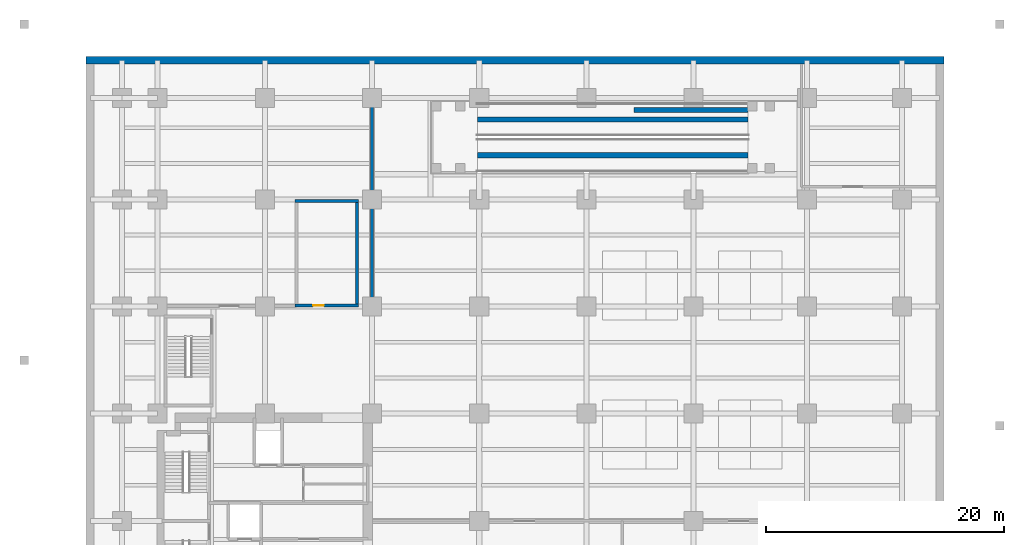
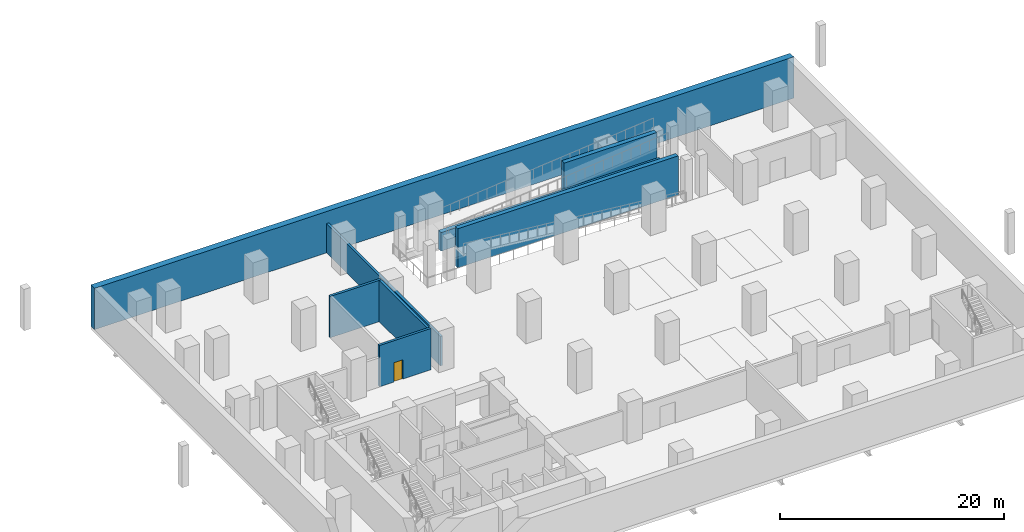
# One storey, part 7 of 10: 8 walls, 1 door, 1 opening.
"""IFC4 building model written with IfcOpenShell, lengths in metres."""

from ifc_helpers import new_model, si_unit, direction, frame, frame_2d, origin, place, context, subcontext, project, spatial, rectangle, extrude, material, layer, layer_set, type_object, element, fill, save


model = new_model("IFC4")

# Units and contexts
model_context = context("Model", 3, precision=1e-05, world=origin(), true_north=direction((0.0, 1.0)))
body_context = subcontext(model_context, "Body", "Model", "MODEL_VIEW")
ifc_project = project(units=[si_unit("LENGTHUNIT", "METRE"), si_unit("AREAUNIT", "SQUARE_METRE"), si_unit("VOLUMEUNIT", "CUBIC_METRE"), si_unit("PLANEANGLEUNIT", "RADIAN"), si_unit("MASSUNIT", "GRAM", prefix="KILO")], contexts=[model_context])

# Site, building, storey
site_placement = place(None, origin())
site = spatial("IfcSite", under=ifc_project, at=site_placement, CompositionType="ELEMENT")
building_placement = place(site_placement, origin())
building = spatial("IfcBuilding", under=site, at=building_placement, Name="Mawjdan Bourse Tower", CompositionType="ELEMENT")
storey_placement = place(building_placement, frame((0.0, 0.0, -9.0)))
storey = spatial("IfcBuildingStorey", under=building, at=storey_placement, Name="B02", CompositionType="ELEMENT", Elevation=-9.0)

# Walls
ifc_material_1 = material(Name="Concrete C60/75", Category="concrete")
ifc_layer_1 = layer(ifc_material_1, 0.449951171875)
ifc_layer_set_1 = layer_set([ifc_layer_1], Name="Concrete C60/75")
wall_type_1 = type_object("IfcWallType", Name="WL-CORE-450", PredefinedType="SHEAR", material=ifc_layer_set_1)
wall_1_placement = place(storey_placement, frame((32.85009765625, 45.699951171875, 0.0), z_axis=(0.0, 0.0, 1.0), x_axis=(1.0, 0.0, 0.0)))
element("IfcWall", 1, at=wall_1_placement, inside=storey, type_object=wall_type_1, Name="B02 Vehicle Ramp Spine Support Wall F2", PredefinedType="SHEAR", context=body_context, shape_type="SweptSolid", body=[
    extrude(rectangle(XDim=22.699951171875, YDim=0.449951171875, at=frame_2d((11.35009765625, 0.0))), origin(), (0.0, 0.0, 1.0), 2.010009765625),
])
wall_2_placement = place(storey_placement, frame((46.0, 46.5, 0.0), z_axis=(0.0, 0.0, 1.0), x_axis=(1.0, 0.0, 0.0)))
element("IfcWall", 2, at=wall_2_placement, inside=storey, type_object=wall_type_1, Name="B02 Vehicle Ramp Upper Spine Pier", PredefinedType="SHEAR", context=body_context, shape_type="SweptSolid", body=[
    extrude(rectangle(XDim=9.550048828125, YDim=0.449951171875, at=frame_2d((4.77490234375, 0.0))), origin(), (0.0, 0.0, 1.0), 4.5),
])
wall_3_placement = place(storey_placement, frame((32.85009765625, 42.699951171875, 0.0), z_axis=(0.0, 0.0, 1.0), x_axis=(1.0, 0.0, 0.0)))
element("IfcWall", 3, at=wall_3_placement, inside=storey, type_object=wall_type_1, Name="B02 Vehicle Ramp Spine Support Wall F1", PredefinedType="SHEAR", context=body_context, shape_type="SweptSolid", body=[
    extrude(rectangle(XDim=22.699951171875, YDim=0.449951171875, at=frame_2d((11.35009765625, 0.0))), origin(), (0.0, 0.0, 1.0), 4.260009765625),
])
ifc_layer_2 = layer(ifc_material_1, 0.64990234375)
ifc_layer_set_2 = layer_set([ifc_layer_2], Name="Concrete C60/75")
wall_type_2 = type_object("IfcWallType", Name="WL-RET-650", PredefinedType="USERDEFINED", material=ifc_layer_set_2)
wall_4_placement = place(storey_placement, frame((72.0, 50.675048828125, 0.0), z_axis=(0.0, 0.0, 1.0), x_axis=(-1.0, 0.0, 0.0)))
element("IfcWall", 4, at=wall_4_placement, inside=storey, type_object=wall_type_2, Name="B02 Perimeter Diaphragm Retaining Wall N", ObjectType="RETAINING", PredefinedType="USERDEFINED", context=body_context, shape_type="SweptSolid", body=[
    extrude(rectangle(XDim=72.0, YDim=0.64990234375, at=frame_2d((36.0, 0.0))), origin(), (0.0, 0.0, 1.0), 4.5),
])
ifc_material_2 = material(Name="Concrete C50/60", Category="concrete")
ifc_layer_3 = layer(ifc_material_2, 0.25)
ifc_layer_set_3 = layer_set([ifc_layer_3], Name="Concrete C50/60")
wall_type_3 = type_object("IfcWallType", Name="WL-SHFT-250", PredefinedType="PARTITIONING", material=ifc_layer_set_3)
wall_5_placement = place(storey_placement, frame((24.0, 30.050048828125, 0.0), z_axis=(0.0, 0.0, 1.0), x_axis=(0.0, 1.0, 0.0)))
element("IfcWall", 5, at=wall_5_placement, inside=storey, type_object=wall_type_3, Name="B02 Clearing Depository Vault East Vault Wall", PredefinedType="PARTITIONING", context=body_context, shape_type="SweptSolid", body=[
    extrude(rectangle(XDim=20.300048828125, YDim=0.25, at=frame_2d((10.14990234375, 0.0))), origin(), (0.0, 0.0, 1.0), 3.199951171875),
])

# Wall, opening, door
ifc_layer_4 = layer(ifc_material_2, 0.25)
ifc_layer_set_4 = layer_set([ifc_layer_4], Name="Concrete C50/60")
wall_type_4 = type_object("IfcWallType", Name="WL-STRW-250", PredefinedType="SHEAR", material=ifc_layer_set_4)
wall_6_placement = place(storey_placement, frame((17.554931640625, 30.080078125, 0.0), z_axis=(0.0, 0.0, 1.0), x_axis=(1.0, 0.0, 0.0)))
wall_6 = element("IfcWall", 6, at=wall_6_placement, inside=storey, type_object=wall_type_4, Name="B02 ST4 Sub-Shaft South Wall", PredefinedType="SHEAR", context=body_context, shape_type="SweptSolid", body=[
    extrude(rectangle(XDim=5.2900390625, YDim=0.25, at=frame_2d((2.64501953125, 0.0))), origin(), (0.0, 0.0, 1.0), 4.5),
])
opening_placement = place(wall_6_placement, frame((1.5, 0.0, 0.0)))
opening = element("IfcOpeningElement", 7, at=opening_placement, cuts=wall_6, Name="Opening RD-B02-21", PredefinedType="OPENING", context=body_context, shape_type="SweptSolid", body=[
    extrude(rectangle(XDim=0.89990234375, YDim=2.10009765625, at=frame_2d((0.449951171875, 1.050048828125))), frame((0.0, 0.135009765625, 0.0), z_axis=(0.0, -1.0, 0.0), x_axis=(1.0, 0.0, 0.0)), (0.0, 0.0, 1.0), 0.27001953125),
])
ifc_material_3 = material(Name="Fire-Rated Steel Access Leaf", Category="steel")
door_type = type_object("IfcDoorType", Name="FD-RSR-0900", OperationType="NOTDEFINED", PredefinedType="TRAPDOOR", material=ifc_material_3)
door_placement = place(opening_placement, origin())
door = element("IfcDoor", 8, at=door_placement, inside=storey, type_object=door_type, Name="B02 Sub-Stair Plenum Access Door RD-B02-21", OperationType="SINGLE_SWING_RIGHT", OverallHeight=2.10009765625, OverallWidth=0.89990234375, PredefinedType="TRAPDOOR", context=body_context, shape_type="SweptSolid", body=[
    extrude(rectangle(XDim=0.89990234375, YDim=2.10009765625, at=frame_2d((0.449951171875, 1.050048828125))), frame((0.0, 0.02490234375, 0.0), z_axis=(0.0, -1.0, 0.0), x_axis=(1.0, 0.0, 0.0)), (0.0, 0.0, 1.0), 0.050048828125),
])
fill(opening, door)

# Walls
wall_7_placement = place(storey_placement, frame((17.554931640625, 38.8701171875, 0.0), z_axis=(0.0, 0.0, 1.0), x_axis=(1.0, 0.0, 0.0)))
element("IfcWall", 9, at=wall_7_placement, inside=storey, type_object=wall_type_4, Name="B02 ST4 Sub-Shaft North Wall", PredefinedType="SHEAR", context=body_context, shape_type="SweptSolid", body=[
    extrude(rectangle(XDim=5.2900390625, YDim=0.25, at=frame_2d((2.64501953125, 0.0))), origin(), (0.0, 0.0, 1.0), 4.5),
])
wall_8_placement = place(storey_placement, frame((22.719970703125, 30.080078125, 0.0), z_axis=(0.0, 0.0, 1.0), x_axis=(0.0, 1.0, 0.0)))
element("IfcWall", 10, at=wall_8_placement, inside=storey, type_object=wall_type_4, Name="B02 ST4 Sub-Shaft East Wall", PredefinedType="SHEAR", context=body_context, shape_type="SweptSolid", body=[
    extrude(rectangle(XDim=8.7900390625, YDim=0.25, at=frame_2d((4.39501953125, 0.0))), origin(), (0.0, 0.0, 1.0), 4.5),
])

save(model, "model.ifc")
